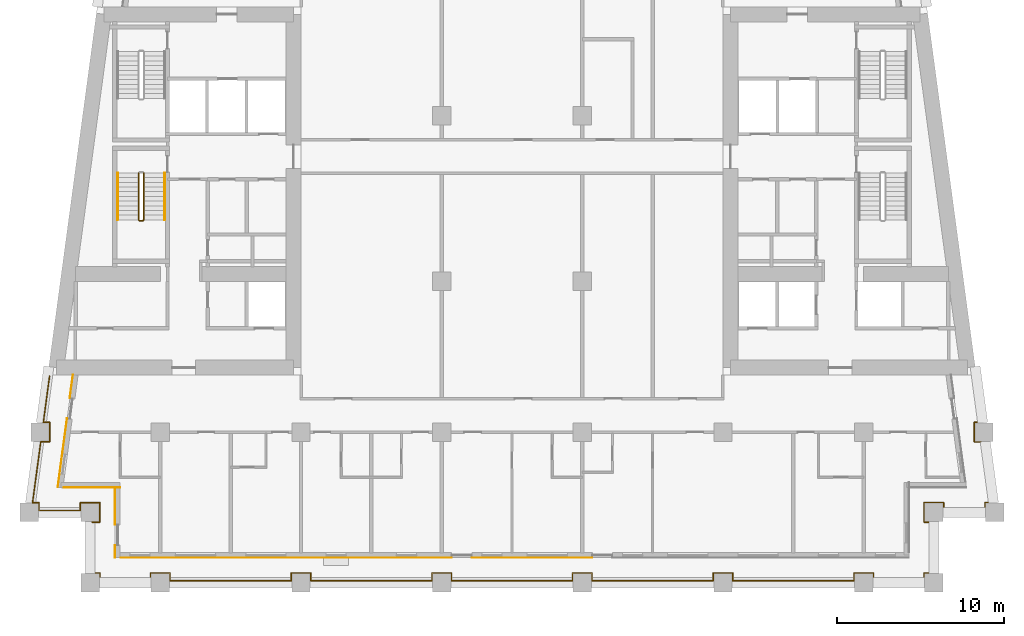
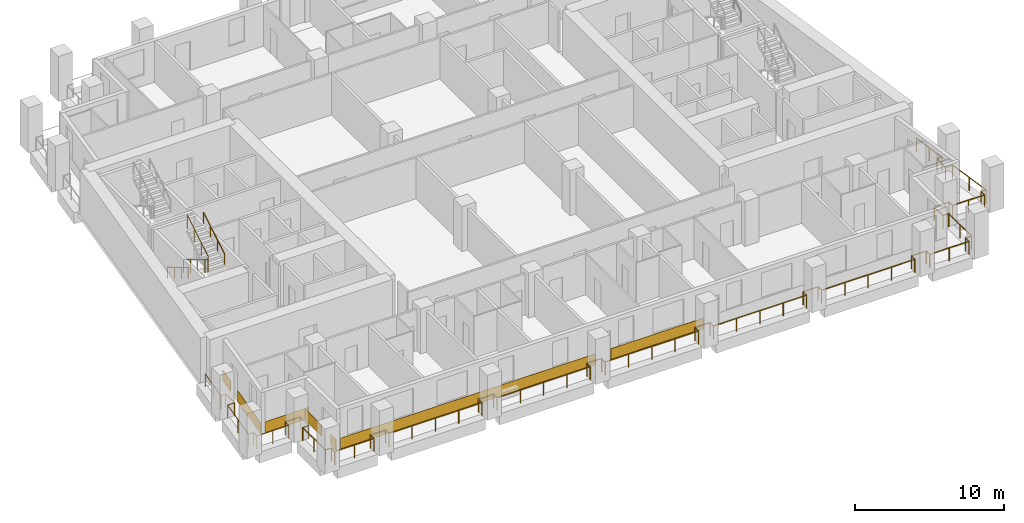
# One storey, part 9 of 13: 7 coverings, 5 railings.
"""IFC4 building model written with IfcOpenShell, lengths in metres."""

import ifcopenshell
import ifcopenshell.guid

model = None  # the IFC model being written
_history = None  # IfcOwnerHistory: only IFC2X3 demands one
_inside = {}  # id of a spatial element -> (the spatial element, [elements in it])
_under = {}  # id of a project, library or spatial element -> (it, [spatial elements below it])
_declared = {}  # id of a project -> (the project, [libraries it declares])
_typed = {}  # id of a type object -> (the type object, [elements of that type])
_made_of = {}  # id of a material, layer set ... -> (it, [elements and type objects made of it])


def new_model(schema):
    """Start an empty IFC model of exactly this schema.

    Asked for "IFC4X3", IfcOpenShell would pick the latest addendum, in which some entities
    have other attributes; the version numbers below select the first issue.
    IFC2X3 requires an IfcOwnerHistory on every rooted entity: one is made here for all.
    """
    global model, _history
    if schema == "IFC4X3":
        model = ifcopenshell.file(schema_version=(4, 3, 0, 0))
    else:
        model = ifcopenshell.file(schema=schema)
    _inside.clear()
    _under.clear()
    _declared.clear()
    _typed.clear()
    _made_of.clear()
    _history = None
    if model.schema == "IFC2X3":
        org = make("IfcOrganization", Name="unknown")
        user = make(
            "IfcPersonAndOrganization",
            ThePerson=make("IfcPerson", FamilyName="unknown"),
            TheOrganization=org,
        )
        app = make(
            "IfcApplication",
            ApplicationDeveloper=org,
            Version="unknown",
            ApplicationFullName="unknown",
            ApplicationIdentifier="unknown",
        )
        _history = make(
            "IfcOwnerHistory",
            OwningUser=user,
            OwningApplication=app,
            ChangeAction="ADDED",
            CreationDate=0,
        )
    return model


def make(cls, **values):
    """One entity of the class cls with the attributes given. An attribute that is None is left unset."""
    return model.create_entity(
        cls, **{name: value for name, value in values.items() if value is not None}
    )


def rooted(cls, **values):
    """An entity with a GlobalId (a new one), such as an element, a storey or a relation."""
    return make(cls, GlobalId=ifcopenshell.guid.new(), OwnerHistory=_history, **values)


def si_unit(unit_type, name, prefix=None):
    """IfcSIUnit, for example si_unit("LENGTHUNIT", "METRE", prefix="MILLI")."""
    return make("IfcSIUnit", UnitType=unit_type, Prefix=prefix, Name=name)


def assignment(units):
    """IfcUnitAssignment: the units of a project."""
    return None if units is None else make("IfcUnitAssignment", Units=units)


def point(xyz):
    """IfcCartesianPoint."""
    return None if xyz is None else make("IfcCartesianPoint", Coordinates=xyz)


def direction(xyz):
    """IfcDirection."""
    return None if xyz is None else make("IfcDirection", DirectionRatios=xyz)


def frame(location, z_axis=None, x_axis=None):
    """IfcAxis2Placement3D, a coordinate frame: its origin and axes. An axis left out is left unset."""
    return make(
        "IfcAxis2Placement3D",
        Location=point(location),
        Axis=direction(z_axis),
        RefDirection=direction(x_axis),
    )


def frame_2d(location, x_axis=None):
    """IfcAxis2Placement2D, a coordinate frame in the plane: its origin and x axis."""
    return make(
        "IfcAxis2Placement2D", Location=point(location), RefDirection=direction(x_axis)
    )


def origin():
    """The frame at (0, 0, 0) with its axes left unset."""
    return frame((0.0, 0.0, 0.0))


def origin_2d():
    """The frame at (0, 0) in the plane with its x axis left unset."""
    return frame_2d((0.0, 0.0))


def place(relative_to, where):
    """IfcLocalPlacement: puts the frame where relative to a parent placement (None: the world)."""
    return make(
        "IfcLocalPlacement", PlacementRelTo=relative_to, RelativePlacement=where
    )


def context(
    kind, dimensions, precision=None, world=None, true_north=None, identifier=None
):
    """IfcGeometricRepresentationContext, for example the 3D "Model" context."""
    return make(
        "IfcGeometricRepresentationContext",
        ContextIdentifier=identifier,
        ContextType=kind,
        CoordinateSpaceDimension=dimensions,
        Precision=precision,
        WorldCoordinateSystem=world,
        TrueNorth=true_north,
    )


def subcontext(parent, identifier, kind, view, scale=None):
    """IfcGeometricRepresentationSubContext, for example "Body" below "Model"."""
    return make(
        "IfcGeometricRepresentationSubContext",
        ContextIdentifier=identifier,
        ContextType=kind,
        ParentContext=parent,
        TargetScale=scale,
        TargetView=view,
    )


def project(units=None, contexts=None):
    """IfcProject with its units and contexts."""
    return rooted(
        "IfcProject",
        Name="project",
        RepresentationContexts=contexts,
        UnitsInContext=assignment(units),
    )


def spatial(cls, under=None, at=None, **own):
    """A site, building, storey or space (cls), placed at a placement, below another one or the project."""
    s = rooted(cls, ObjectPlacement=at, **own)
    if under is not None:
        _under.setdefault(under.id(), (under, []))[1].append(s)
    return s


def profile(cls, at=None, kind="AREA", **sizes):
    """A parametric profile (cls). Its sizes go by their IFC names, for example OverallWidth=200.0."""
    return make(cls, ProfileType=kind, Position=at, **sizes)


def rectangle(**sizes):
    """IfcRectangleProfileDef."""
    return profile("IfcRectangleProfileDef", **sizes)


def circle(**sizes):
    """IfcCircleProfileDef."""
    return profile("IfcCircleProfileDef", **sizes)


def extrude(swept, where, along, depth):
    """IfcExtrudedAreaSolid: the profile swept, set in the frame where, extruded along a direction by depth."""
    return make(
        "IfcExtrudedAreaSolid",
        SweptArea=swept,
        Position=where,
        ExtrudedDirection=direction(along),
        Depth=depth,
    )


def shape(context_of_items, identifier, shape_type, items):
    """IfcShapeRepresentation: the items that make up one representation, for example the "Body"."""
    return make(
        "IfcShapeRepresentation",
        ContextOfItems=context_of_items,
        RepresentationIdentifier=identifier,
        RepresentationType=shape_type,
        Items=items,
    )


def material(Name=None, Category=None):
    """IfcMaterial."""
    return make("IfcMaterial", Name=Name, Category=Category)


def layer(
    of_material, thickness, ventilated=None, Name=None, Category=None, Priority=None
):
    """IfcMaterialLayer: one layer of a wall or slab, of a material (None: an air gap)."""
    return make(
        "IfcMaterialLayer",
        Material=of_material,
        LayerThickness=thickness,
        IsVentilated=ventilated,
        Name=Name,
        Category=Category,
        Priority=Priority,
    )


def layer_set(layers, Name=None):
    """IfcMaterialLayerSet."""
    return make("IfcMaterialLayerSet", MaterialLayers=layers, LayerSetName=Name)


def made_of(thing, what):
    """Note that an element or type object is made of a material, layer set ...; save() writes the relation."""
    if what is not None:
        _made_of.setdefault(what.id(), (what, []))[1].append(thing)
    return thing


def type_object(cls, material=None, **own):
    """A type object (cls), such as IfcWallType, which elements share."""
    return made_of(rooted(cls, **own), material)


def element(
    cls,
    number,
    at=None,
    inside=None,
    cuts=None,
    type_object=None,
    material=None,
    context=None,
    identifier="Body",
    shape_type=None,
    held_by="IfcProductDefinitionShape",
    body=None,
    shapes=None,
    **own,
):
    """One element of the class cls, such as IfcWall. Its Tag is "e" and its number.

    at: its placement. inside: the storey or other place that contains it. cuts: it is an
    opening in that element (IfcRelVoidsElement). A single representation is given by context,
    identifier, shape_type and body (its items); several are given by shapes. held_by: the class
    of the entity that holds the representations. save() writes the other relations.
    """
    e = rooted(cls, Tag="e%d" % number, ObjectPlacement=at, **own)
    if body is not None:
        shapes = [shape(context, identifier, shape_type, body)]
    if shapes is not None:
        e.Representation = make(held_by, Representations=shapes)
    if inside is not None:
        _inside.setdefault(inside.id(), (inside, []))[1].append(e)
    if cuts is not None:
        rooted(
            "IfcRelVoidsElement", RelatingBuildingElement=cuts, RelatedOpeningElement=e
        )
    if type_object is not None:
        _typed.setdefault(type_object.id(), (type_object, []))[1].append(e)
    return made_of(e, material)


def aggregate(whole, parts):
    """IfcRelAggregates: a whole, such as a stair, and the parts it consists of."""
    return rooted("IfcRelAggregates", RelatingObject=whole, RelatedObjects=parts)


def save(model, path):
    """Write the relations noted so far, then the file.

    IfcRelAggregates (storeys below a building ...), IfcRelContainedInSpatialStructure (elements
    in a storey), IfcRelDefinesByType, IfcRelAssociatesMaterial and IfcRelDeclares: one each for
    every whole, place, type object, material and project.
    """
    for whole, parts in _under.values():
        aggregate(whole, parts)
    for where, things in _inside.values():
        rooted(
            "IfcRelContainedInSpatialStructure",
            RelatedElements=things,
            RelatingStructure=where,
        )
    for kind, things in _typed.values():
        rooted("IfcRelDefinesByType", RelatedObjects=things, RelatingType=kind)
    for what, things in _made_of.values():
        rooted("IfcRelAssociatesMaterial", RelatedObjects=things, RelatingMaterial=what)
    for by, libraries in _declared.values():
        rooted("IfcRelDeclares", RelatingContext=by, RelatedDefinitions=libraries)
    model.write(path)


model = new_model("IFC4")

# Units and contexts
model_context = context("Model", 3, precision=1e-05, world=origin(), true_north=direction((0.0, 1.0)))
body_context = subcontext(model_context, "Body", "Model", "MODEL_VIEW")
ifc_project = project(units=[si_unit("LENGTHUNIT", "METRE"), si_unit("AREAUNIT", "SQUARE_METRE"), si_unit("VOLUMEUNIT", "CUBIC_METRE"), si_unit("PLANEANGLEUNIT", "RADIAN"), si_unit("MASSUNIT", "GRAM", prefix="KILO")], contexts=[model_context])

# Site, building, storey
site_placement = place(None, origin())
site = spatial("IfcSite", under=ifc_project, at=site_placement, CompositionType="ELEMENT")
building_placement = place(site_placement, origin())
building = spatial("IfcBuilding", under=site, at=building_placement, Name="Candeia Pilgrim Tower and Theatre", CompositionType="ELEMENT")
storey_placement = place(building_placement, frame((0.0, 0.0, 155.199951171875)))
storey = spatial("IfcBuildingStorey", under=building, at=storey_placement, Name="L36", CompositionType="ELEMENT", Elevation=155.199951171875)

# Railings
ifc_material_1 = material(Name="Stainless steel balustrade", Category="steel")
railing_type_1 = type_object("IfcRailingType", Name="G1 loggia guard 1100", PredefinedType="GUARDRAIL", material=ifc_material_1)
railing_1_placement = place(storey_placement, frame((88.320068359375, 101.6201171875, 0.0)))
element("IfcRailing", 1, at=railing_1_placement, inside=storey, type_object=railing_type_1, Name="Guard L36.1", PredefinedType="GUARDRAIL", context=body_context, shape_type="SweptSolid", body=[
    extrude(circle(Radius=0.02392578125, at=origin_2d()), frame((0.0, 0.0, 1.076171875), z_axis=(1.0, 0.0, 0.0), x_axis=(0.0, 1.0, 0.0)), (0.0, 0.0, 1.0), 0.4599609375),
    extrude(circle(Radius=0.02392578125, at=origin_2d()), frame((0.4599609375, 0.0, 1.076171875), z_axis=(0.0, 1.0, 0.0), x_axis=(-1.0, 0.0, 0.0)), (0.0, 0.0, 1.0), 1.159912109375),
    extrude(circle(Radius=0.02392578125, at=origin_2d()), frame((0.4599609375, 1.159912109375, 1.076171875), z_axis=(-1.0, 0.0, 0.0), x_axis=(0.0, -1.0, 0.0)), (0.0, 0.0, 1.0), 1.159912109375),
    extrude(circle(Radius=0.02392578125, at=origin_2d()), frame((-0.699951171875, 1.159912109375, 1.076171875), z_axis=(0.0, -1.0, 0.0), x_axis=(1.0, 0.0, 0.0)), (0.0, 0.0, 1.0), 0.4599609375),
    extrude(circle(Radius=0.02392578125, at=origin_2d()), frame((-0.699951171875, 0.699951171875, 1.076171875), z_axis=(-1.0, 0.0, 0.0), x_axis=(0.0, -1.0, 0.0)), (0.0, 0.0, 1.0), 2.474853515625),
    extrude(circle(Radius=0.02392578125, at=origin_2d()), frame((-3.1748046875, 0.699951171875, 1.076171875), z_axis=(0.0, 1.0, 0.0), x_axis=(-1.0, 0.0, 0.0)), (0.0, 0.0, 1.0), 0.4599609375),
    extrude(circle(Radius=0.02392578125, at=origin_2d()), frame((-3.1748046875, 1.159912109375, 1.076171875), z_axis=(-1.0, 0.0, 0.0), x_axis=(0.0, -1.0, 0.0)), (0.0, 0.0, 1.0), 0.380615234375),
    extrude(circle(Radius=0.02392578125, at=origin_2d()), frame((-3.555419921875, 1.159912109375, 1.076171875), z_axis=(0.133413267734, 0.9910604926, 0.0), x_axis=(-0.9910604926, 0.133413267734, 0.0)), (0.0, 0.0, 1.0), 3.672607421875),
    extrude(circle(Radius=0.02392578125, at=origin_2d()), frame((-3.0654296875, 4.7998046875, 1.076171875), z_axis=(1.0, 0.0, 0.0), x_axis=(0.0, 1.0, 0.0)), (0.0, 0.0, 1.0), 0.536865234375),
    extrude(circle(Radius=0.02392578125, at=origin_2d()), frame((-2.528564453125, 4.7998046875, 1.076171875), z_axis=(0.0, 1.0, 0.0), x_axis=(-1.0, 0.0, 0.0)), (0.0, 0.0, 1.0), 1.16015625),
    extrude(circle(Radius=0.02392578125, at=origin_2d()), frame((-2.528564453125, 5.9599609375, 1.076171875), z_axis=(-1.0, 0.0, 0.0), x_axis=(0.0, -1.0, 0.0)), (0.0, 0.0, 1.0), 0.380859375),
    extrude(circle(Radius=0.02392578125, at=origin_2d()), frame((-2.909423828125, 5.9599609375, 1.076171875), z_axis=(0.133468107709, 0.99105310868, 0.0), x_axis=(-0.99105310868, 0.133468107709, 0.0)), (0.0, 0.0, 1.0), 2.794921875),
    extrude(circle(Radius=0.02099609375, at=origin_2d()), origin(), (0.0, 0.0, 1.0), 1.052001953125),
    extrude(circle(Radius=0.02099609375, at=origin_2d()), frame((0.4599609375, 0.0, 0.0)), (0.0, 0.0, 1.0), 1.052001953125),
    extrude(circle(Radius=0.02099609375, at=origin_2d()), frame((0.4599609375, 1.159912109375, 0.0)), (0.0, 0.0, 1.0), 1.052001953125),
    extrude(circle(Radius=0.02099609375, at=origin_2d()), frame((-0.699951171875, 1.159912109375, 0.0)), (0.0, 0.0, 1.0), 1.052001953125),
    extrude(circle(Radius=0.02099609375, at=origin_2d()), frame((-0.699951171875, 0.699951171875, 0.0)), (0.0, 0.0, 1.0), 1.052001953125),
    extrude(circle(Radius=0.02099609375, at=origin_2d()), frame((-1.9375, 0.699951171875, 0.0)), (0.0, 0.0, 1.0), 1.052001953125),
    extrude(circle(Radius=0.02099609375, at=origin_2d()), frame((-3.1748046875, 0.699951171875, 0.0)), (0.0, 0.0, 1.0), 1.052001953125),
    extrude(circle(Radius=0.02099609375, at=origin_2d()), frame((-3.1748046875, 1.159912109375, 0.0)), (0.0, 0.0, 1.0), 1.052001953125),
    extrude(circle(Radius=0.02099609375, at=origin_2d()), frame((-3.555419921875, 1.159912109375, 0.0)), (0.0, 0.0, 1.0), 1.052001953125),
    extrude(circle(Radius=0.02099609375, at=origin_2d()), frame((-3.310546875, 2.97998046875, 0.0)), (0.0, 0.0, 1.0), 1.052001953125),
    extrude(circle(Radius=0.02099609375, at=origin_2d()), frame((-3.0654296875, 4.7998046875, 0.0)), (0.0, 0.0, 1.0), 1.052001953125),
    extrude(circle(Radius=0.02099609375, at=origin_2d()), frame((-2.528564453125, 4.7998046875, 0.0)), (0.0, 0.0, 1.0), 1.052001953125),
    extrude(circle(Radius=0.02099609375, at=origin_2d()), frame((-2.528564453125, 5.9599609375, 0.0)), (0.0, 0.0, 1.0), 1.052001953125),
    extrude(circle(Radius=0.02099609375, at=origin_2d()), frame((-2.909423828125, 5.9599609375, 0.0)), (0.0, 0.0, 1.0), 1.052001953125),
    extrude(circle(Radius=0.02099609375, at=origin_2d()), frame((-2.722900390625, 7.344970703125, 0.0)), (0.0, 0.0, 1.0), 1.052001953125),
    extrude(circle(Radius=0.02099609375, at=origin_2d()), frame((-2.536376953125, 8.72998046875, 0.0)), (0.0, 0.0, 1.0), 1.052001953125),
])
railing_2_placement = place(storey_placement, frame((141.016357421875, 110.35009765625, 0.0)))
element("IfcRailing", 2, at=railing_2_placement, inside=storey, type_object=railing_type_1, Name="Guard L36.4", PredefinedType="GUARDRAIL", context=body_context, shape_type="SweptSolid", body=[
    extrude(circle(Radius=0.02392578125, at=origin_2d()), frame((0.0, 0.0, 1.076171875), z_axis=(0.133468107709, -0.99105310868, 0.0), x_axis=(0.99105310868, 0.133468107709, 0.0)), (0.0, 0.0, 1.0), 2.794921875),
    extrude(circle(Radius=0.02392578125, at=origin_2d()), frame((0.373046875, -2.77001953125, 1.076171875), z_axis=(-1.0, 0.0, 0.0), x_axis=(0.0, -1.0, 0.0)), (0.0, 0.0, 1.0), 0.380859375),
    extrude(circle(Radius=0.02392578125, at=origin_2d()), frame((-0.0078125, -2.77001953125, 1.076171875), z_axis=(0.0, -1.0, 0.0), x_axis=(1.0, 0.0, 0.0)), (0.0, 0.0, 1.0), 1.16015625),
    extrude(circle(Radius=0.02392578125, at=origin_2d()), frame((-0.0078125, -3.93017578125, 1.076171875), z_axis=(1.0, 0.0, 0.0), x_axis=(0.0, 1.0, 0.0)), (0.0, 0.0, 1.0), 0.536865234375),
    extrude(circle(Radius=0.02392578125, at=origin_2d()), frame((0.529052734375, -3.93017578125, 1.076171875), z_axis=(0.133413267734, -0.9910604926, 0.0), x_axis=(0.9910604926, 0.133413267734, 0.0)), (0.0, 0.0, 1.0), 3.672607421875),
    extrude(circle(Radius=0.02392578125, at=origin_2d()), frame((1.01904296875, -7.570068359375, 1.076171875), z_axis=(-1.0, 0.0, 0.0), x_axis=(0.0, -1.0, 0.0)), (0.0, 0.0, 1.0), 0.380859375),
    extrude(circle(Radius=0.02392578125, at=origin_2d()), frame((0.63818359375, -7.570068359375, 1.076171875), z_axis=(0.0, -1.0, 0.0), x_axis=(1.0, 0.0, 0.0)), (0.0, 0.0, 1.0), 0.4599609375),
    extrude(circle(Radius=0.02392578125, at=origin_2d()), frame((0.63818359375, -8.030029296875, 1.076171875), z_axis=(-1.0, 0.0, 0.0), x_axis=(0.0, -1.0, 0.0)), (0.0, 0.0, 1.0), 2.474609375),
    extrude(circle(Radius=0.02392578125, at=origin_2d()), frame((-1.83642578125, -8.030029296875, 1.076171875), z_axis=(0.0, 1.0, 0.0), x_axis=(-1.0, 0.0, 0.0)), (0.0, 0.0, 1.0), 0.4599609375),
    extrude(circle(Radius=0.02392578125, at=origin_2d()), frame((-1.83642578125, -7.570068359375, 1.076171875), z_axis=(-1.0, 0.0, 0.0), x_axis=(0.0, -1.0, 0.0)), (0.0, 0.0, 1.0), 1.159912109375),
    extrude(circle(Radius=0.02392578125, at=origin_2d()), frame((-2.996337890625, -7.570068359375, 1.076171875), z_axis=(0.0, -1.0, 0.0), x_axis=(1.0, 0.0, 0.0)), (0.0, 0.0, 1.0), 1.159912109375),
    extrude(circle(Radius=0.02392578125, at=origin_2d()), frame((-2.996337890625, -8.72998046875, 1.076171875), z_axis=(1.0, 0.0, 0.0), x_axis=(0.0, 1.0, 0.0)), (0.0, 0.0, 1.0), 0.4599609375),
    extrude(circle(Radius=0.02392578125, at=origin_2d()), frame((-2.536376953125, -8.72998046875, 1.076171875), z_axis=(0.0, -1.0, 0.0), x_axis=(1.0, 0.0, 0.0)), (0.0, 0.0, 1.0), 3.0400390625),
    extrude(circle(Radius=0.02392578125, at=origin_2d()), frame((-2.536376953125, -11.77001953125, 1.076171875), z_axis=(-1.0, 0.0, 0.0), x_axis=(0.0, -1.0, 0.0)), (0.0, 0.0, 1.0), 0.4599609375),
    extrude(circle(Radius=0.02392578125, at=origin_2d()), frame((-2.996337890625, -11.77001953125, 1.076171875), z_axis=(0.0, -1.0, 0.0), x_axis=(1.0, 0.0, 0.0)), (0.0, 0.0, 1.0), 0.4599609375),
    extrude(circle(Radius=0.02392578125, at=origin_2d()), frame((-2.996337890625, -12.22998046875, 1.076171875), z_axis=(-1.0, 0.0, 0.0), x_axis=(0.0, -1.0, 0.0)), (0.0, 0.0, 1.0), 3.0400390625),
    extrude(circle(Radius=0.02392578125, at=origin_2d()), frame((-6.036376953125, -12.22998046875, 1.076171875), z_axis=(0.0, 1.0, 0.0), x_axis=(-1.0, 0.0, 0.0)), (0.0, 0.0, 1.0), 0.4599609375),
    extrude(circle(Radius=0.02392578125, at=origin_2d()), frame((-6.036376953125, -11.77001953125, 1.076171875), z_axis=(-1.0, 0.0, 0.0), x_axis=(0.0, -1.0, 0.0)), (0.0, 0.0, 1.0), 1.159912109375),
    extrude(circle(Radius=0.02392578125, at=origin_2d()), frame((-7.1962890625, -11.77001953125, 1.076171875), z_axis=(0.0, -1.0, 0.0), x_axis=(1.0, 0.0, 0.0)), (0.0, 0.0, 1.0), 0.4599609375),
    extrude(circle(Radius=0.02392578125, at=origin_2d()), frame((-7.1962890625, -12.22998046875, 1.076171875), z_axis=(-1.0, 0.0, 0.0), x_axis=(0.0, -1.0, 0.0)), (0.0, 0.0, 1.0), 7.239990234375),
    extrude(circle(Radius=0.02392578125, at=origin_2d()), frame((-14.436279296875, -12.22998046875, 1.076171875), z_axis=(0.0, 1.0, 0.0), x_axis=(-1.0, 0.0, 0.0)), (0.0, 0.0, 1.0), 0.4599609375),
    extrude(circle(Radius=0.02392578125, at=origin_2d()), frame((-14.436279296875, -11.77001953125, 1.076171875), z_axis=(-1.0, 0.0, 0.0), x_axis=(0.0, -1.0, 0.0)), (0.0, 0.0, 1.0), 1.16015625),
    extrude(circle(Radius=0.02392578125, at=origin_2d()), frame((-15.596435546875, -11.77001953125, 1.076171875), z_axis=(0.0, -1.0, 0.0), x_axis=(1.0, 0.0, 0.0)), (0.0, 0.0, 1.0), 0.4599609375),
    extrude(circle(Radius=0.02392578125, at=origin_2d()), frame((-15.596435546875, -12.22998046875, 1.076171875), z_axis=(-1.0, 0.0, 0.0), x_axis=(0.0, -1.0, 0.0)), (0.0, 0.0, 1.0), 7.239990234375),
    extrude(circle(Radius=0.02392578125, at=origin_2d()), frame((-22.83642578125, -12.22998046875, 1.076171875), z_axis=(0.0, 1.0, 0.0), x_axis=(-1.0, 0.0, 0.0)), (0.0, 0.0, 1.0), 0.4599609375),
    extrude(circle(Radius=0.02392578125, at=origin_2d()), frame((-22.83642578125, -11.77001953125, 1.076171875), z_axis=(-1.0, 0.0, 0.0), x_axis=(0.0, -1.0, 0.0)), (0.0, 0.0, 1.0), 1.159912109375),
    extrude(circle(Radius=0.02392578125, at=origin_2d()), frame((-23.996337890625, -11.77001953125, 1.076171875), z_axis=(0.0, -1.0, 0.0), x_axis=(1.0, 0.0, 0.0)), (0.0, 0.0, 1.0), 0.4599609375),
    extrude(circle(Radius=0.02392578125, at=origin_2d()), frame((-23.996337890625, -12.22998046875, 1.076171875), z_axis=(-1.0, 0.0, 0.0), x_axis=(0.0, -1.0, 0.0)), (0.0, 0.0, 1.0), 7.239990234375),
    extrude(circle(Radius=0.02392578125, at=origin_2d()), frame((-31.236328125, -12.22998046875, 1.076171875), z_axis=(0.0, 1.0, 0.0), x_axis=(-1.0, 0.0, 0.0)), (0.0, 0.0, 1.0), 0.4599609375),
    extrude(circle(Radius=0.02392578125, at=origin_2d()), frame((-31.236328125, -11.77001953125, 1.076171875), z_axis=(-1.0, 0.0, 0.0), x_axis=(0.0, -1.0, 0.0)), (0.0, 0.0, 1.0), 1.159912109375),
    extrude(circle(Radius=0.02392578125, at=origin_2d()), frame((-32.396240234375, -11.77001953125, 1.076171875), z_axis=(0.0, -1.0, 0.0), x_axis=(1.0, 0.0, 0.0)), (0.0, 0.0, 1.0), 0.4599609375),
    extrude(circle(Radius=0.02392578125, at=origin_2d()), frame((-32.396240234375, -12.22998046875, 1.076171875), z_axis=(-1.0, 0.0, 0.0), x_axis=(0.0, -1.0, 0.0)), (0.0, 0.0, 1.0), 7.240234375),
    extrude(circle(Radius=0.02392578125, at=origin_2d()), frame((-39.636474609375, -12.22998046875, 1.076171875), z_axis=(0.0, 1.0, 0.0), x_axis=(-1.0, 0.0, 0.0)), (0.0, 0.0, 1.0), 0.4599609375),
    extrude(circle(Radius=0.02392578125, at=origin_2d()), frame((-39.636474609375, -11.77001953125, 1.076171875), z_axis=(-1.0, 0.0, 0.0), x_axis=(0.0, -1.0, 0.0)), (0.0, 0.0, 1.0), 1.159912109375),
    extrude(circle(Radius=0.02392578125, at=origin_2d()), frame((-40.79638671875, -11.77001953125, 1.076171875), z_axis=(0.0, -1.0, 0.0), x_axis=(1.0, 0.0, 0.0)), (0.0, 0.0, 1.0), 0.4599609375),
    extrude(circle(Radius=0.02392578125, at=origin_2d()), frame((-40.79638671875, -12.22998046875, 1.076171875), z_axis=(-1.0, 0.0, 0.0), x_axis=(0.0, -1.0, 0.0)), (0.0, 0.0, 1.0), 7.239990234375),
    extrude(circle(Radius=0.02392578125, at=origin_2d()), frame((-48.036376953125, -12.22998046875, 1.076171875), z_axis=(0.0, 1.0, 0.0), x_axis=(-1.0, 0.0, 0.0)), (0.0, 0.0, 1.0), 0.4599609375),
    extrude(circle(Radius=0.02392578125, at=origin_2d()), frame((-48.036376953125, -11.77001953125, 1.076171875), z_axis=(-1.0, 0.0, 0.0), x_axis=(0.0, -1.0, 0.0)), (0.0, 0.0, 1.0), 1.159912109375),
    extrude(circle(Radius=0.02392578125, at=origin_2d()), frame((-49.1962890625, -11.77001953125, 1.076171875), z_axis=(0.0, -1.0, 0.0), x_axis=(1.0, 0.0, 0.0)), (0.0, 0.0, 1.0), 0.4599609375),
    extrude(circle(Radius=0.02392578125, at=origin_2d()), frame((-49.1962890625, -12.22998046875, 1.076171875), z_axis=(-1.0, 0.0, 0.0), x_axis=(0.0, -1.0, 0.0)), (0.0, 0.0, 1.0), 3.0400390625),
    extrude(circle(Radius=0.02392578125, at=origin_2d()), frame((-52.236328125, -12.22998046875, 1.076171875), z_axis=(0.0, 1.0, 0.0), x_axis=(-1.0, 0.0, 0.0)), (0.0, 0.0, 1.0), 0.4599609375),
    extrude(circle(Radius=0.02392578125, at=origin_2d()), frame((-52.236328125, -11.77001953125, 1.076171875), z_axis=(-1.0, 0.0, 0.0), x_axis=(0.0, -1.0, 0.0)), (0.0, 0.0, 1.0), 0.4599609375),
    extrude(circle(Radius=0.02392578125, at=origin_2d()), frame((-52.6962890625, -11.77001953125, 1.076171875), z_axis=(0.0, 1.0, 0.0), x_axis=(-1.0, 0.0, 0.0)), (0.0, 0.0, 1.0), 3.0400390625),
    extrude(circle(Radius=0.02099609375, at=origin_2d()), origin(), (0.0, 0.0, 1.0), 1.052001953125),
    extrude(circle(Radius=0.02099609375, at=origin_2d()), frame((0.1865234375, -1.385009765625, 0.0)), (0.0, 0.0, 1.0), 1.052001953125),
    extrude(circle(Radius=0.02099609375, at=origin_2d()), frame((0.373046875, -2.77001953125, 0.0)), (0.0, 0.0, 1.0), 1.052001953125),
    extrude(circle(Radius=0.02099609375, at=origin_2d()), frame((-0.0078125, -2.77001953125, 0.0)), (0.0, 0.0, 1.0), 1.052001953125),
    extrude(circle(Radius=0.02099609375, at=origin_2d()), frame((-0.0078125, -3.93017578125, 0.0)), (0.0, 0.0, 1.0), 1.052001953125),
    extrude(circle(Radius=0.02099609375, at=origin_2d()), frame((0.529052734375, -3.93017578125, 0.0)), (0.0, 0.0, 1.0), 1.052001953125),
    extrude(circle(Radius=0.02099609375, at=origin_2d()), frame((0.77392578125, -5.75, 0.0)), (0.0, 0.0, 1.0), 1.052001953125),
    extrude(circle(Radius=0.02099609375, at=origin_2d()), frame((1.01904296875, -7.570068359375, 0.0)), (0.0, 0.0, 1.0), 1.052001953125),
    extrude(circle(Radius=0.02099609375, at=origin_2d()), frame((0.63818359375, -7.570068359375, 0.0)), (0.0, 0.0, 1.0), 1.052001953125),
    extrude(circle(Radius=0.02099609375, at=origin_2d()), frame((0.63818359375, -8.030029296875, 0.0)), (0.0, 0.0, 1.0), 1.052001953125),
    extrude(circle(Radius=0.02099609375, at=origin_2d()), frame((-0.59912109375, -8.030029296875, 0.0)), (0.0, 0.0, 1.0), 1.052001953125),
    extrude(circle(Radius=0.02099609375, at=origin_2d()), frame((-1.83642578125, -8.030029296875, 0.0)), (0.0, 0.0, 1.0), 1.052001953125),
    extrude(circle(Radius=0.02099609375, at=origin_2d()), frame((-1.83642578125, -7.570068359375, 0.0)), (0.0, 0.0, 1.0), 1.052001953125),
    extrude(circle(Radius=0.02099609375, at=origin_2d()), frame((-2.996337890625, -7.570068359375, 0.0)), (0.0, 0.0, 1.0), 1.052001953125),
    extrude(circle(Radius=0.02099609375, at=origin_2d()), frame((-2.996337890625, -8.72998046875, 0.0)), (0.0, 0.0, 1.0), 1.052001953125),
    extrude(circle(Radius=0.02099609375, at=origin_2d()), frame((-2.536376953125, -8.72998046875, 0.0)), (0.0, 0.0, 1.0), 1.052001953125),
    extrude(circle(Radius=0.02099609375, at=origin_2d()), frame((-2.536376953125, -10.25, 0.0)), (0.0, 0.0, 1.0), 1.052001953125),
    extrude(circle(Radius=0.02099609375, at=origin_2d()), frame((-2.536376953125, -11.77001953125, 0.0)), (0.0, 0.0, 1.0), 1.052001953125),
    extrude(circle(Radius=0.02099609375, at=origin_2d()), frame((-2.996337890625, -11.77001953125, 0.0)), (0.0, 0.0, 1.0), 1.052001953125),
    extrude(circle(Radius=0.02099609375, at=origin_2d()), frame((-2.996337890625, -12.22998046875, 0.0)), (0.0, 0.0, 1.0), 1.052001953125),
    extrude(circle(Radius=0.02099609375, at=origin_2d()), frame((-4.516357421875, -12.22998046875, 0.0)), (0.0, 0.0, 1.0), 1.052001953125),
    extrude(circle(Radius=0.02099609375, at=origin_2d()), frame((-6.036376953125, -12.22998046875, 0.0)), (0.0, 0.0, 1.0), 1.052001953125),
    extrude(circle(Radius=0.02099609375, at=origin_2d()), frame((-6.036376953125, -11.77001953125, 0.0)), (0.0, 0.0, 1.0), 1.052001953125),
    extrude(circle(Radius=0.02099609375, at=origin_2d()), frame((-7.1962890625, -11.77001953125, 0.0)), (0.0, 0.0, 1.0), 1.052001953125),
    extrude(circle(Radius=0.02099609375, at=origin_2d()), frame((-7.1962890625, -12.22998046875, 0.0)), (0.0, 0.0, 1.0), 1.052001953125),
    extrude(circle(Radius=0.02099609375, at=origin_2d()), frame((-9.00634765625, -12.22998046875, 0.0)), (0.0, 0.0, 1.0), 1.052001953125),
    extrude(circle(Radius=0.02099609375, at=origin_2d()), frame((-10.81640625, -12.22998046875, 0.0)), (0.0, 0.0, 1.0), 1.052001953125),
    extrude(circle(Radius=0.02099609375, at=origin_2d()), frame((-12.626220703125, -12.22998046875, 0.0)), (0.0, 0.0, 1.0), 1.052001953125),
    extrude(circle(Radius=0.02099609375, at=origin_2d()), frame((-14.436279296875, -12.22998046875, 0.0)), (0.0, 0.0, 1.0), 1.052001953125),
    extrude(circle(Radius=0.02099609375, at=origin_2d()), frame((-14.436279296875, -11.77001953125, 0.0)), (0.0, 0.0, 1.0), 1.052001953125),
    extrude(circle(Radius=0.02099609375, at=origin_2d()), frame((-15.596435546875, -11.77001953125, 0.0)), (0.0, 0.0, 1.0), 1.052001953125),
    extrude(circle(Radius=0.02099609375, at=origin_2d()), frame((-15.596435546875, -12.22998046875, 0.0)), (0.0, 0.0, 1.0), 1.052001953125),
    extrude(circle(Radius=0.02099609375, at=origin_2d()), frame((-17.406494140625, -12.22998046875, 0.0)), (0.0, 0.0, 1.0), 1.052001953125),
    extrude(circle(Radius=0.02099609375, at=origin_2d()), frame((-19.21630859375, -12.22998046875, 0.0)), (0.0, 0.0, 1.0), 1.052001953125),
    extrude(circle(Radius=0.02099609375, at=origin_2d()), frame((-21.0263671875, -12.22998046875, 0.0)), (0.0, 0.0, 1.0), 1.052001953125),
    extrude(circle(Radius=0.02099609375, at=origin_2d()), frame((-22.83642578125, -12.22998046875, 0.0)), (0.0, 0.0, 1.0), 1.052001953125),
    extrude(circle(Radius=0.02099609375, at=origin_2d()), frame((-22.83642578125, -11.77001953125, 0.0)), (0.0, 0.0, 1.0), 1.052001953125),
    extrude(circle(Radius=0.02099609375, at=origin_2d()), frame((-23.996337890625, -11.77001953125, 0.0)), (0.0, 0.0, 1.0), 1.052001953125),
    extrude(circle(Radius=0.02099609375, at=origin_2d()), frame((-23.996337890625, -12.22998046875, 0.0)), (0.0, 0.0, 1.0), 1.052001953125),
    extrude(circle(Radius=0.02099609375, at=origin_2d()), frame((-25.806396484375, -12.22998046875, 0.0)), (0.0, 0.0, 1.0), 1.052001953125),
    extrude(circle(Radius=0.02099609375, at=origin_2d()), frame((-27.6162109375, -12.22998046875, 0.0)), (0.0, 0.0, 1.0), 1.052001953125),
    extrude(circle(Radius=0.02099609375, at=origin_2d()), frame((-29.42626953125, -12.22998046875, 0.0)), (0.0, 0.0, 1.0), 1.052001953125),
    extrude(circle(Radius=0.02099609375, at=origin_2d()), frame((-31.236328125, -12.22998046875, 0.0)), (0.0, 0.0, 1.0), 1.052001953125),
    extrude(circle(Radius=0.02099609375, at=origin_2d()), frame((-31.236328125, -11.77001953125, 0.0)), (0.0, 0.0, 1.0), 1.052001953125),
    extrude(circle(Radius=0.02099609375, at=origin_2d()), frame((-32.396240234375, -11.77001953125, 0.0)), (0.0, 0.0, 1.0), 1.052001953125),
    extrude(circle(Radius=0.02099609375, at=origin_2d()), frame((-32.396240234375, -12.22998046875, 0.0)), (0.0, 0.0, 1.0), 1.052001953125),
    extrude(circle(Radius=0.02099609375, at=origin_2d()), frame((-34.206298828125, -12.22998046875, 0.0)), (0.0, 0.0, 1.0), 1.052001953125),
    extrude(circle(Radius=0.02099609375, at=origin_2d()), frame((-36.016357421875, -12.22998046875, 0.0)), (0.0, 0.0, 1.0), 1.052001953125),
    extrude(circle(Radius=0.02099609375, at=origin_2d()), frame((-37.826416015625, -12.22998046875, 0.0)), (0.0, 0.0, 1.0), 1.052001953125),
    extrude(circle(Radius=0.02099609375, at=origin_2d()), frame((-39.636474609375, -12.22998046875, 0.0)), (0.0, 0.0, 1.0), 1.052001953125),
    extrude(circle(Radius=0.02099609375, at=origin_2d()), frame((-39.636474609375, -11.77001953125, 0.0)), (0.0, 0.0, 1.0), 1.052001953125),
    extrude(circle(Radius=0.02099609375, at=origin_2d()), frame((-40.79638671875, -11.77001953125, 0.0)), (0.0, 0.0, 1.0), 1.052001953125),
    extrude(circle(Radius=0.02099609375, at=origin_2d()), frame((-40.79638671875, -12.22998046875, 0.0)), (0.0, 0.0, 1.0), 1.052001953125),
    extrude(circle(Radius=0.02099609375, at=origin_2d()), frame((-42.6064453125, -12.22998046875, 0.0)), (0.0, 0.0, 1.0), 1.052001953125),
    extrude(circle(Radius=0.02099609375, at=origin_2d()), frame((-44.41650390625, -12.22998046875, 0.0)), (0.0, 0.0, 1.0), 1.052001953125),
    extrude(circle(Radius=0.02099609375, at=origin_2d()), frame((-46.226318359375, -12.22998046875, 0.0)), (0.0, 0.0, 1.0), 1.052001953125),
    extrude(circle(Radius=0.02099609375, at=origin_2d()), frame((-48.036376953125, -12.22998046875, 0.0)), (0.0, 0.0, 1.0), 1.052001953125),
    extrude(circle(Radius=0.02099609375, at=origin_2d()), frame((-48.036376953125, -11.77001953125, 0.0)), (0.0, 0.0, 1.0), 1.052001953125),
    extrude(circle(Radius=0.02099609375, at=origin_2d()), frame((-49.1962890625, -11.77001953125, 0.0)), (0.0, 0.0, 1.0), 1.052001953125),
    extrude(circle(Radius=0.02099609375, at=origin_2d()), frame((-49.1962890625, -12.22998046875, 0.0)), (0.0, 0.0, 1.0), 1.052001953125),
    extrude(circle(Radius=0.02099609375, at=origin_2d()), frame((-50.71630859375, -12.22998046875, 0.0)), (0.0, 0.0, 1.0), 1.052001953125),
    extrude(circle(Radius=0.02099609375, at=origin_2d()), frame((-52.236328125, -12.22998046875, 0.0)), (0.0, 0.0, 1.0), 1.052001953125),
    extrude(circle(Radius=0.02099609375, at=origin_2d()), frame((-52.236328125, -11.77001953125, 0.0)), (0.0, 0.0, 1.0), 1.052001953125),
    extrude(circle(Radius=0.02099609375, at=origin_2d()), frame((-52.6962890625, -11.77001953125, 0.0)), (0.0, 0.0, 1.0), 1.052001953125),
    extrude(circle(Radius=0.02099609375, at=origin_2d()), frame((-52.6962890625, -10.25, 0.0)), (0.0, 0.0, 1.0), 1.052001953125),
    extrude(circle(Radius=0.02099609375, at=origin_2d()), frame((-52.6962890625, -8.72998046875, 0.0)), (0.0, 0.0, 1.0), 1.052001953125),
])

# Coverings
ifc_material_2 = material(Name="Glazed ceramic tile rust")
ifc_layer = layer(ifc_material_2, 0.02001953125)
ifc_layer_set = layer_set([ifc_layer], Name="Glazed ceramic tile rust")
covering_type = type_object("IfcCoveringType", Name="Glazed ceramic tile rust", PredefinedType="CLADDING", material=ifc_layer_set)
covering_1_placement = place(storey_placement, frame((99.909912109375, 99.489990234375, 0.0), z_axis=(0.0, 0.0, 1.0), x_axis=(1.0, 0.0, 0.0)))
element("IfcCovering", 3, at=covering_1_placement, inside=storey, type_object=covering_type, Name="Tile cladding rust L36", PredefinedType="CLADDING", context=body_context, shape_type="SweptSolid", body=[
    extrude(rectangle(XDim=19.780029296875, YDim=0.02001953125, at=origin_2d()), origin(), (0.0, 0.0, 1.0), 0.89990234375),
])
covering_2_placement = place(storey_placement, frame((114.60009765625, 99.489990234375, 0.0), z_axis=(0.0, 0.0, 1.0), x_axis=(1.0, 0.0, 0.0)))
element("IfcCovering", 4, at=covering_2_placement, inside=storey, type_object=covering_type, Name="Tile cladding rust L36", PredefinedType="CLADDING", context=body_context, shape_type="SweptSolid", body=[
    extrude(rectangle(XDim=7.199951171875, YDim=0.02001953125, at=origin_2d()), origin(), (0.0, 0.0, 1.0), 0.89990234375),
])
covering_3_placement = place(storey_placement, frame((87.0810546875, 109.71875, 0.0), z_axis=(0.0, 0.0, 1.0), x_axis=(-0.133412012145, -0.991060661622, 0.0)))
element("IfcCovering", 5, at=covering_3_placement, inside=storey, type_object=covering_type, Name="Tile cladding rust L36", PredefinedType="CLADDING", context=body_context, shape_type="SweptSolid", body=[
    extrude(rectangle(XDim=1.41796875, YDim=0.02001953125, at=origin_2d()), origin(), (0.0, 0.0, 1.0), 0.89990234375),
])
covering_4_placement = place(storey_placement, frame((86.548583984375, 105.763916015625, 0.0), z_axis=(0.0, 0.0, 1.0), x_axis=(-0.133412012145, -0.991060661622, 0.0)))
element("IfcCovering", 6, at=covering_4_placement, inside=storey, type_object=covering_type, Name="Tile cladding rust L36", PredefinedType="CLADDING", context=body_context, shape_type="SweptSolid", body=[
    extrude(rectangle(XDim=4.16259765625, YDim=0.02001953125, at=origin_2d()), origin(), (0.0, 0.0, 1.0), 0.89990234375),
])
covering_5_placement = place(storey_placement, frame((88.311279296875, 103.68994140625, 0.0), z_axis=(0.0, 0.0, 1.0), x_axis=(1.0, 0.0, 0.0)))
element("IfcCovering", 7, at=covering_5_placement, inside=storey, type_object=covering_type, Name="Tile cladding rust L36", PredefinedType="CLADDING", context=body_context, shape_type="SweptSolid", body=[
    extrude(rectangle(XDim=3.377685546875, YDim=0.02001953125, at=origin_2d()), origin(), (0.0, 0.0, 1.0), 0.89990234375),
])
covering_6_placement = place(storey_placement, frame((89.68994140625, 102.56494140625, 0.0), z_axis=(0.0, 0.0, 1.0), x_axis=(0.0, -1.0, 0.0)))
element("IfcCovering", 8, at=covering_6_placement, inside=storey, type_object=covering_type, Name="Tile cladding rust L36", PredefinedType="CLADDING", context=body_context, shape_type="SweptSolid", body=[
    extrude(rectangle(XDim=2.22998046875, YDim=0.02001953125, at=origin_2d()), origin(), (0.0, 0.0, 1.0), 0.89990234375),
])
covering_7_placement = place(storey_placement, frame((89.68994140625, 99.875, 0.0), z_axis=(0.0, 0.0, 1.0), x_axis=(0.0, -1.0, 0.0)))
element("IfcCovering", 9, at=covering_7_placement, inside=storey, type_object=covering_type, Name="Tile cladding rust L36", PredefinedType="CLADDING", context=body_context, shape_type="SweptSolid", body=[
    extrude(rectangle(XDim=0.75, YDim=0.02001953125, at=origin_2d()), origin(), (0.0, 0.0, 1.0), 0.89990234375),
])

# Railings
railing_type_2 = type_object("IfcRailingType", Name="RL-GUARD-1100", PredefinedType="GUARDRAIL", material=ifc_material_1)
railing_3_placement = place(storey_placement, frame((91.10205078125, 122.47509765625, 0.168212890625)))
element("IfcRailing", 10, at=railing_3_placement, inside=storey, type_object=railing_type_2, Name="L36 ST1 stair guard 1", PredefinedType="GUARDRAIL", context=body_context, shape_type="SweptSolid", body=[
    extrude(circle(Radius=0.02392578125, at=origin_2d()), frame((0.0, 0.0, 1.076171875), z_axis=(0.0, -0.857242210791, 0.514913383045), x_axis=(1.0, 0.0, 0.0)), (0.0, 0.0, 1.0), 3.266357421875),
    extrude(circle(Radius=0.02392578125, at=origin_2d()), frame((0.0, -2.800048828125, 2.7578125), z_axis=(0.707106781187, -0.707106781187, 0.0), x_axis=(0.707106781187, 0.707106781187, 0.0)), (0.0, 0.0, 1.0), 0.07080078125),
    extrude(circle(Radius=0.02392578125, at=origin_2d()), frame((0.050048828125, -2.85009765625, 2.7578125), z_axis=(1.0, 0.0, 0.0), x_axis=(0.0, 1.0, 0.0)), (0.0, 0.0, 1.0), 0.199951171875),
    extrude(circle(Radius=0.02392578125, at=origin_2d()), frame((0.25, -2.85009765625, 2.7578125), z_axis=(0.274243871929, 0.274243871929, 0.92172696468), x_axis=(-0.707106781187, 0.707106781187, 0.0)), (0.0, 0.0, 1.0), 0.1826171875),
    extrude(circle(Radius=0.02392578125, at=origin_2d()), frame((0.300048828125, -2.800048828125, 2.92626953125), z_axis=(0.0, 0.857275202839, 0.514858452973), x_axis=(-1.0, 0.0, 0.0)), (0.0, 0.0, 1.0), 3.26611328125),
    extrude(circle(Radius=0.02099609375, at=origin_2d()), origin(), (0.0, 0.0, 1.0), 1.052001953125),
    extrude(circle(Radius=0.02099609375, at=origin_2d()), frame((0.0, -0.933349609375, 0.560546875)), (0.0, 0.0, 1.0), 1.052001953125),
    extrude(circle(Radius=0.02099609375, at=origin_2d()), frame((0.0, -1.86669921875, 1.121337890625)), (0.0, 0.0, 1.0), 1.052001953125),
    extrude(circle(Radius=0.02099609375, at=origin_2d()), frame((0.0, -2.800048828125, 1.681884765625)), (0.0, 0.0, 1.0), 1.052001953125),
    extrude(circle(Radius=0.02099609375, at=origin_2d()), frame((0.050048828125, -2.85009765625, 1.681884765625)), (0.0, 0.0, 1.0), 1.052001953125),
    extrude(circle(Radius=0.02099609375, at=origin_2d()), frame((0.25, -2.85009765625, 1.681884765625)), (0.0, 0.0, 1.0), 1.052001953125),
    extrude(circle(Radius=0.02099609375, at=origin_2d()), frame((0.300048828125, -2.800048828125, 1.85009765625)), (0.0, 0.0, 1.0), 1.052001953125),
    extrude(circle(Radius=0.02099609375, at=origin_2d()), frame((0.300048828125, -1.86669921875, 2.41064453125)), (0.0, 0.0, 1.0), 1.052001953125),
    extrude(circle(Radius=0.02099609375, at=origin_2d()), frame((0.300048828125, -0.933349609375, 2.97119140625)), (0.0, 0.0, 1.0), 1.052001953125),
    extrude(circle(Radius=0.02099609375, at=origin_2d()), frame((0.300048828125, 0.0, 3.53173828125)), (0.0, 0.0, 1.0), 1.052001953125),
])
ifc_material_3 = material(Name="Stainless steel handrail", Category="steel")
railing_type_3 = type_object("IfcRailingType", Name="RL-HANDRAIL-900", PredefinedType="HANDRAIL", material=ifc_material_3)
railing_4_placement = place(storey_placement, frame((89.85205078125, 122.47509765625, 0.168212890625)))
element("IfcRailing", 11, at=railing_4_placement, inside=storey, type_object=railing_type_3, Name="L36 ST1 stair handrail 1", PredefinedType="HANDRAIL", context=body_context, shape_type="SweptSolid", body=[
    extrude(circle(Radius=0.02392578125, at=origin_2d()), frame((0.0, 0.0, 0.8759765625), z_axis=(0.0, -0.857242210791, 0.514913383045), x_axis=(1.0, 0.0, 0.0)), (0.0, 0.0, 1.0), 3.266357421875),
    extrude(circle(Radius=0.02099609375, at=origin_2d()), origin(), (0.0, 0.0, 1.0), 0.851806640625),
    extrude(circle(Radius=0.02099609375, at=origin_2d()), frame((0.0, -0.933349609375, 0.560546875)), (0.0, 0.0, 1.0), 0.851806640625),
    extrude(circle(Radius=0.02099609375, at=origin_2d()), frame((0.0, -1.86669921875, 1.121337890625)), (0.0, 0.0, 1.0), 0.851806640625),
    extrude(circle(Radius=0.02099609375, at=origin_2d()), frame((0.0, -2.800048828125, 1.681884765625)), (0.0, 0.0, 1.0), 0.851806640625),
])
railing_5_placement = place(storey_placement, frame((92.652099609375, 119.675048828125, 2.018310546875)))
element("IfcRailing", 12, at=railing_5_placement, inside=storey, type_object=railing_type_3, Name="L36 ST1 stair handrail 2", PredefinedType="HANDRAIL", context=body_context, shape_type="SweptSolid", body=[
    extrude(circle(Radius=0.02392578125, at=origin_2d()), frame((0.0, 0.0, 0.8759765625), z_axis=(0.0, 0.857275202839, 0.514858452973), x_axis=(-1.0, 0.0, 0.0)), (0.0, 0.0, 1.0), 3.26611328125),
    extrude(circle(Radius=0.02099609375, at=origin_2d()), origin(), (0.0, 0.0, 1.0), 0.851806640625),
    extrude(circle(Radius=0.02099609375, at=origin_2d()), frame((0.0, 0.933349609375, 0.560546875)), (0.0, 0.0, 1.0), 0.851806640625),
    extrude(circle(Radius=0.02099609375, at=origin_2d()), frame((0.0, 1.86669921875, 1.12109375)), (0.0, 0.0, 1.0), 0.851806640625),
    extrude(circle(Radius=0.02099609375, at=origin_2d()), frame((0.0, 2.800048828125, 1.681640625)), (0.0, 0.0, 1.0), 0.851806640625),
])

save(model, "model.ifc")
